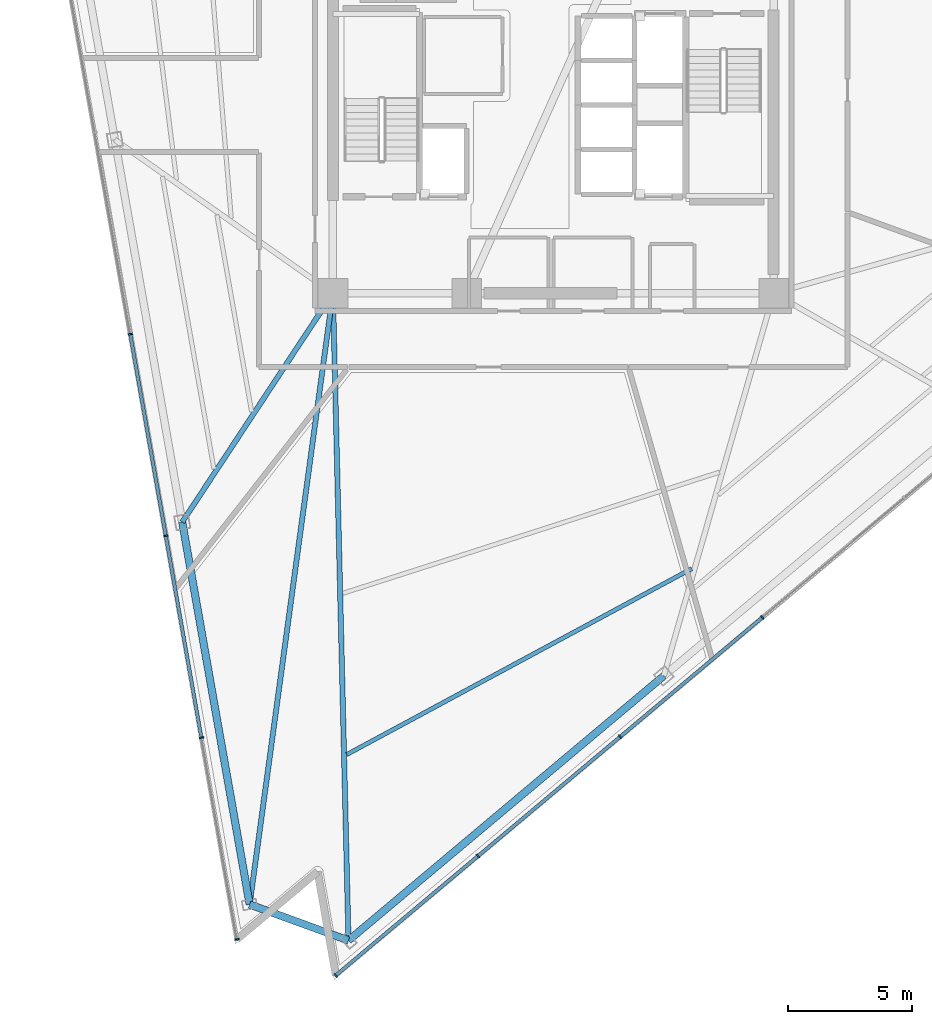
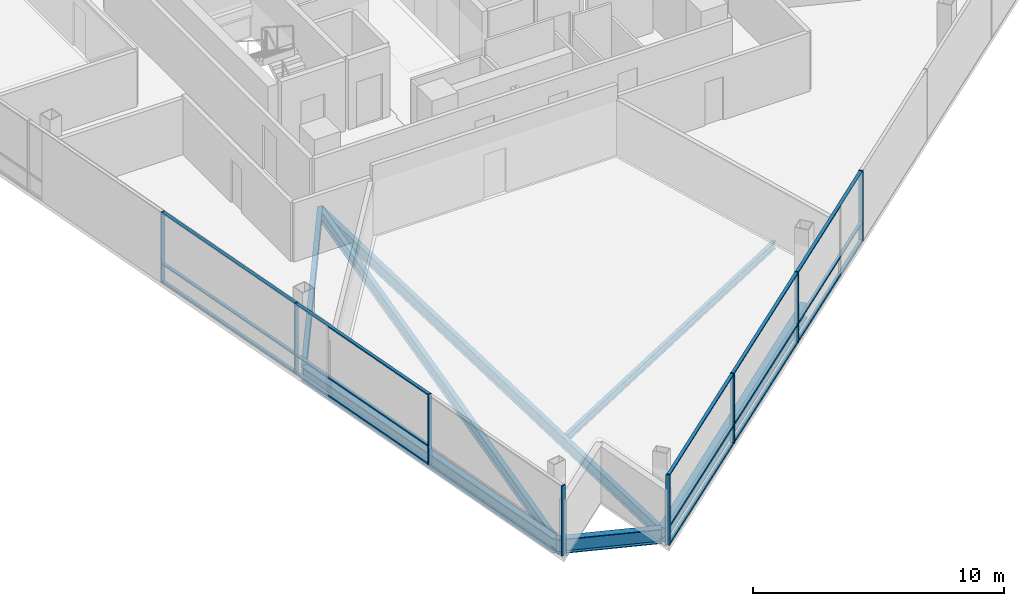
# One storey, part 2 of 16: 23 members, 7 beams, 2 elements without a shape of their own.
"""IFC4 building model written with IfcOpenShell, lengths in metres."""

from ifc_helpers import new_model, si_unit, direction, frame, origin, origin_2d, place, context, subcontext, project, spatial, rectangle, i_section, extrude, material, layer, layer_set, material_profile, profile_set, type_object, element, aggregate, save


model = new_model("IFC4")

# Units and contexts
model_context = context("Model", 3, precision=1e-05, world=origin(), true_north=direction((0.0, 1.0)))
body_context = subcontext(model_context, "Body", "Model", "MODEL_VIEW")
ifc_project = project(units=[si_unit("LENGTHUNIT", "METRE"), si_unit("AREAUNIT", "SQUARE_METRE"), si_unit("VOLUMEUNIT", "CUBIC_METRE"), si_unit("PLANEANGLEUNIT", "RADIAN"), si_unit("MASSUNIT", "GRAM", prefix="KILO")], contexts=[model_context])

# Site, building, storey
site_placement = place(None, origin())
site = spatial("IfcSite", under=ifc_project, at=site_placement, CompositionType="ELEMENT")
building_placement = place(site_placement, origin())
building = spatial("IfcBuilding", under=site, at=building_placement, Name="Tharavind Bronze Gate", CompositionType="ELEMENT")
storey_placement = place(building_placement, frame((0.0, 0.0, 188.5)))
storey = spatial("IfcBuildingStorey", under=building, at=storey_placement, Name="L48", CompositionType="ELEMENT", Elevation=188.5)

# Curtain wall, members
ifc_material_1 = material(Name="Anodised Bronze Aluminium", Category="aluminium")
ifc_layer = layer(ifc_material_1, 0.219970703125)
ifc_layer_set = layer_set([ifc_layer], Name="Anodised Bronze Aluminium")
curtain_wall_type = type_object("IfcCurtainWallType", Name="UNITISED CURTAIN WALL MID OFFICE", PredefinedType="USERDEFINED", material=ifc_layer_set)
curtain_wall_1_placement = place(storey_placement, origin())
curtain_wall_1 = element("IfcCurtainWall", 1, at=curtain_wall_1_placement, inside=storey, type_object=curtain_wall_type, Name="L48 unitised curtain wall mid office CW-L48-S1", ObjectType="UNITISED CURTAIN WALL", PredefinedType="USERDEFINED")
member_type_1 = type_object("IfcMemberType", Name="CURTAIN WALL BRONZE MULLION 65X180", PredefinedType="MULLION", material=ifc_material_1)
member_1_placement = place(storey_placement, frame((-17.086669921875, -9.250732421875, 0.0), z_axis=(0.0, 0.0, 1.0), x_axis=(0.173648177667, -0.984807753012, 0.0)))
member_1 = element("IfcMember", 2, at=member_1_placement, type_object=member_type_1, Name="CW-L48-S1 mullion 4", PredefinedType="MULLION", context=body_context, shape_type="SweptSolid", body=[
    extrude(rectangle(XDim=0.06494140625, YDim=0.179931640625, at=origin_2d()), origin(), (0.0, 0.0, 1.0), 3.419921875),
])
member_2_placement = place(storey_placement, frame((-15.650146484375, -17.3984375, 0.0), z_axis=(0.0, 0.0, 1.0), x_axis=(0.173648177667, -0.984807753012, 0.0)))
member_2 = element("IfcMember", 3, at=member_2_placement, type_object=member_type_1, Name="CW-L48-S1 mullion 5", PredefinedType="MULLION", context=body_context, shape_type="SweptSolid", body=[
    extrude(rectangle(XDim=0.06494140625, YDim=0.179931640625, at=origin_2d()), origin(), (0.0, 0.0, 1.0), 3.419921875),
])
member_3_placement = place(storey_placement, frame((-14.21337890625, -25.546142578125, 0.0), z_axis=(0.0, 0.0, 1.0), x_axis=(0.173648177667, -0.984807753012, 0.0)))
member_3 = element("IfcMember", 4, at=member_3_placement, type_object=member_type_1, Name="CW-L48-S1 mullion 6", PredefinedType="MULLION", context=body_context, shape_type="SweptSolid", body=[
    extrude(rectangle(XDim=0.06494140625, YDim=0.179931640625, at=origin_2d()), origin(), (0.0, 0.0, 1.0), 3.419921875),
])
member_4_placement = place(storey_placement, frame((-12.77685546875, -33.69384765625, 0.0), z_axis=(0.0, 0.0, 1.0), x_axis=(0.173648177667, -0.984807753012, 0.0)))
member_4 = element("IfcMember", 5, at=member_4_placement, type_object=member_type_1, Name="CW-L48-S1 mullion 7", PredefinedType="MULLION", context=body_context, shape_type="SweptSolid", body=[
    extrude(rectangle(XDim=0.06494140625, YDim=0.179931640625, at=origin_2d()), origin(), (0.0, 0.0, 1.0), 3.419921875),
])

curtain_wall_2_placement = place(storey_placement, origin())
curtain_wall_2 = element("IfcCurtainWall", 6, at=curtain_wall_2_placement, inside=storey, type_object=curtain_wall_type, Name="L48 unitised curtain wall mid office CW-L48-S2", ObjectType="UNITISED CURTAIN WALL", PredefinedType="USERDEFINED")
member_5_placement = place(storey_placement, frame((-8.784912109375, -35.146728515625, 0.0), z_axis=(0.0, 0.0, 1.0), x_axis=(0.766043321242, 0.642788946685, 0.0)))
member_5 = element("IfcMember", 7, at=member_5_placement, type_object=member_type_1, Name="CW-L48-S2 mullion 1", PredefinedType="MULLION", context=body_context, shape_type="SweptSolid", body=[
    extrude(rectangle(XDim=0.06494140625, YDim=0.179931640625, at=origin_2d()), origin(), (0.0, 0.0, 1.0), 3.419921875),
])
member_6_placement = place(storey_placement, frame((-3.042724609375, -30.328369140625, 0.0), z_axis=(0.0, 0.0, 1.0), x_axis=(0.766043321242, 0.642788946685, 0.0)))
member_6 = element("IfcMember", 8, at=member_6_placement, type_object=member_type_1, Name="CW-L48-S2 mullion 2", PredefinedType="MULLION", context=body_context, shape_type="SweptSolid", body=[
    extrude(rectangle(XDim=0.06494140625, YDim=0.179931640625, at=origin_2d()), origin(), (0.0, 0.0, 1.0), 3.419921875),
])
member_7_placement = place(storey_placement, frame((2.69970703125, -25.510009765625, 0.0), z_axis=(0.0, 0.0, 1.0), x_axis=(0.766043321242, 0.642788946685, 0.0)))
member_7 = element("IfcMember", 9, at=member_7_placement, type_object=member_type_1, Name="CW-L48-S2 mullion 3", PredefinedType="MULLION", context=body_context, shape_type="SweptSolid", body=[
    extrude(rectangle(XDim=0.06494140625, YDim=0.179931640625, at=origin_2d()), origin(), (0.0, 0.0, 1.0), 3.419921875),
])
member_8_placement = place(storey_placement, frame((8.44189453125, -20.691650390625, 0.0), z_axis=(0.0, 0.0, 1.0), x_axis=(0.766043321242, 0.642788946685, 0.0)))
member_8 = element("IfcMember", 10, at=member_8_placement, type_object=member_type_1, Name="CW-L48-S2 mullion 4", PredefinedType="MULLION", context=body_context, shape_type="SweptSolid", body=[
    extrude(rectangle(XDim=0.06494140625, YDim=0.179931640625, at=origin_2d()), origin(), (0.0, 0.0, 1.0), 3.419921875),
])

# Member
member_type_2 = type_object("IfcMemberType", Name="CURTAIN WALL BRONZE TRANSOM 65X140", PredefinedType="USERDEFINED", material=ifc_material_1)
member_9_placement = place(storey_placement, frame((-16.368408203125, -13.32470703125, 0.0), z_axis=(0.0, 0.0, 1.0), x_axis=(0.173648177667, -0.984807753012, 0.0)))
member_9 = element("IfcMember", 11, at=member_9_placement, type_object=member_type_2, Name="CW-L48-S1 transom TB4", ObjectType="TRANSOM", PredefinedType="USERDEFINED", context=body_context, shape_type="SweptSolid", body=[
    extrude(rectangle(XDim=8.220458984375, YDim=0.139892578125, at=origin_2d()), origin(), (0.0, 0.0, 1.0), 0.06494140625),
])

member_10_placement = place(storey_placement, frame((-16.368408203125, -13.32470703125, 0.867431640625), z_axis=(0.0, 0.0, 1.0), x_axis=(0.173648177667, -0.984807753012, 0.0)))
member_10 = element("IfcMember", 12, at=member_10_placement, type_object=member_type_2, Name="CW-L48-S1 transom TS4", ObjectType="TRANSOM", PredefinedType="USERDEFINED", context=body_context, shape_type="SweptSolid", body=[
    extrude(rectangle(XDim=8.220458984375, YDim=0.139892578125, at=origin_2d()), origin(), (0.0, 0.0, 1.0), 0.06494140625),
])

member_11_placement = place(storey_placement, frame((-16.368408203125, -13.32470703125, 3.35498046875), z_axis=(0.0, 0.0, 1.0), x_axis=(0.173648177667, -0.984807753012, 0.0)))
member_11 = element("IfcMember", 13, at=member_11_placement, type_object=member_type_2, Name="CW-L48-S1 transom TT4", ObjectType="TRANSOM", PredefinedType="USERDEFINED", context=body_context, shape_type="SweptSolid", body=[
    extrude(rectangle(XDim=8.220458984375, YDim=0.139892578125, at=origin_2d()), origin(), (0.0, 0.0, 1.0), 0.06494140625),
])

member_12_placement = place(storey_placement, frame((-14.931884765625, -21.472412109375, 0.0), z_axis=(0.0, 0.0, 1.0), x_axis=(0.173648177667, -0.984807753012, 0.0)))
member_12 = element("IfcMember", 14, at=member_12_placement, type_object=member_type_2, Name="CW-L48-S1 transom TB5", ObjectType="TRANSOM", PredefinedType="USERDEFINED", context=body_context, shape_type="SweptSolid", body=[
    extrude(rectangle(XDim=8.220458984375, YDim=0.139892578125, at=origin_2d()), origin(), (0.0, 0.0, 1.0), 0.06494140625),
])

member_13_placement = place(storey_placement, frame((-14.931884765625, -21.472412109375, 0.867431640625), z_axis=(0.0, 0.0, 1.0), x_axis=(0.173648177667, -0.984807753012, 0.0)))
member_13 = element("IfcMember", 15, at=member_13_placement, type_object=member_type_2, Name="CW-L48-S1 transom TS5", ObjectType="TRANSOM", PredefinedType="USERDEFINED", context=body_context, shape_type="SweptSolid", body=[
    extrude(rectangle(XDim=8.220458984375, YDim=0.139892578125, at=origin_2d()), origin(), (0.0, 0.0, 1.0), 0.06494140625),
])

member_14_placement = place(storey_placement, frame((-14.931884765625, -21.472412109375, 3.35498046875), z_axis=(0.0, 0.0, 1.0), x_axis=(0.173648177667, -0.984807753012, 0.0)))
member_14 = element("IfcMember", 16, at=member_14_placement, type_object=member_type_2, Name="CW-L48-S1 transom TT5", ObjectType="TRANSOM", PredefinedType="USERDEFINED", context=body_context, shape_type="SweptSolid", body=[
    extrude(rectangle(XDim=8.220458984375, YDim=0.139892578125, at=origin_2d()), origin(), (0.0, 0.0, 1.0), 0.06494140625),
])

aggregate(curtain_wall_1, [member_1, member_2, member_3, member_4, member_9, member_10, member_11, member_12, member_13, member_14])

member_15_placement = place(storey_placement, frame((-5.913818359375, -32.737548828125, 0.0), z_axis=(0.0, 0.0, 1.0), x_axis=(0.766043321242, 0.642788946685, 0.0)))
member_15 = element("IfcMember", 17, at=member_15_placement, type_object=member_type_2, Name="CW-L48-S2 transom TB1", ObjectType="TRANSOM", PredefinedType="USERDEFINED", context=body_context, shape_type="SweptSolid", body=[
    extrude(rectangle(XDim=7.443115234375, YDim=0.139892578125, at=origin_2d()), origin(), (0.0, 0.0, 1.0), 0.06494140625),
])

member_16_placement = place(storey_placement, frame((-5.913818359375, -32.737548828125, 0.867431640625), z_axis=(0.0, 0.0, 1.0), x_axis=(0.766043321242, 0.642788946685, 0.0)))
member_16 = element("IfcMember", 18, at=member_16_placement, type_object=member_type_2, Name="CW-L48-S2 transom TS1", ObjectType="TRANSOM", PredefinedType="USERDEFINED", context=body_context, shape_type="SweptSolid", body=[
    extrude(rectangle(XDim=7.443115234375, YDim=0.139892578125, at=origin_2d()), origin(), (0.0, 0.0, 1.0), 0.06494140625),
])

member_17_placement = place(storey_placement, frame((-5.913818359375, -32.737548828125, 3.35498046875), z_axis=(0.0, 0.0, 1.0), x_axis=(0.766043321242, 0.642788946685, 0.0)))
member_17 = element("IfcMember", 19, at=member_17_placement, type_object=member_type_2, Name="CW-L48-S2 transom TT1", ObjectType="TRANSOM", PredefinedType="USERDEFINED", context=body_context, shape_type="SweptSolid", body=[
    extrude(rectangle(XDim=7.443115234375, YDim=0.139892578125, at=origin_2d()), origin(), (0.0, 0.0, 1.0), 0.06494140625),
])

member_18_placement = place(storey_placement, frame((-0.171630859375, -27.919189453125, 0.0), z_axis=(0.0, 0.0, 1.0), x_axis=(0.766043321242, 0.642788946685, 0.0)))
member_18 = element("IfcMember", 20, at=member_18_placement, type_object=member_type_2, Name="CW-L48-S2 transom TB2", ObjectType="TRANSOM", PredefinedType="USERDEFINED", context=body_context, shape_type="SweptSolid", body=[
    extrude(rectangle(XDim=7.443115234375, YDim=0.139892578125, at=origin_2d()), origin(), (0.0, 0.0, 1.0), 0.06494140625),
])

member_19_placement = place(storey_placement, frame((-0.171630859375, -27.919189453125, 0.867431640625), z_axis=(0.0, 0.0, 1.0), x_axis=(0.766043321242, 0.642788946685, 0.0)))
member_19 = element("IfcMember", 21, at=member_19_placement, type_object=member_type_2, Name="CW-L48-S2 transom TS2", ObjectType="TRANSOM", PredefinedType="USERDEFINED", context=body_context, shape_type="SweptSolid", body=[
    extrude(rectangle(XDim=7.443115234375, YDim=0.139892578125, at=origin_2d()), origin(), (0.0, 0.0, 1.0), 0.06494140625),
])

member_20_placement = place(storey_placement, frame((-0.171630859375, -27.919189453125, 3.35498046875), z_axis=(0.0, 0.0, 1.0), x_axis=(0.766043321242, 0.642788946685, 0.0)))
member_20 = element("IfcMember", 22, at=member_20_placement, type_object=member_type_2, Name="CW-L48-S2 transom TT2", ObjectType="TRANSOM", PredefinedType="USERDEFINED", context=body_context, shape_type="SweptSolid", body=[
    extrude(rectangle(XDim=7.443115234375, YDim=0.139892578125, at=origin_2d()), origin(), (0.0, 0.0, 1.0), 0.06494140625),
])

member_21_placement = place(storey_placement, frame((5.57080078125, -23.100830078125, 0.0), z_axis=(0.0, 0.0, 1.0), x_axis=(0.766043321242, 0.642788946685, 0.0)))
member_21 = element("IfcMember", 23, at=member_21_placement, type_object=member_type_2, Name="CW-L48-S2 transom TB3", ObjectType="TRANSOM", PredefinedType="USERDEFINED", context=body_context, shape_type="SweptSolid", body=[
    extrude(rectangle(XDim=7.443115234375, YDim=0.139892578125, at=origin_2d()), origin(), (0.0, 0.0, 1.0), 0.06494140625),
])

member_22_placement = place(storey_placement, frame((5.57080078125, -23.100830078125, 0.867431640625), z_axis=(0.0, 0.0, 1.0), x_axis=(0.766043321242, 0.642788946685, 0.0)))
member_22 = element("IfcMember", 24, at=member_22_placement, type_object=member_type_2, Name="CW-L48-S2 transom TS3", ObjectType="TRANSOM", PredefinedType="USERDEFINED", context=body_context, shape_type="SweptSolid", body=[
    extrude(rectangle(XDim=7.443115234375, YDim=0.139892578125, at=origin_2d()), origin(), (0.0, 0.0, 1.0), 0.06494140625),
])

member_23_placement = place(storey_placement, frame((5.57080078125, -23.100830078125, 3.35498046875), z_axis=(0.0, 0.0, 1.0), x_axis=(0.766043321242, 0.642788946685, 0.0)))
member_23 = element("IfcMember", 25, at=member_23_placement, type_object=member_type_2, Name="CW-L48-S2 transom TT3", ObjectType="TRANSOM", PredefinedType="USERDEFINED", context=body_context, shape_type="SweptSolid", body=[
    extrude(rectangle(XDim=7.443115234375, YDim=0.139892578125, at=origin_2d()), origin(), (0.0, 0.0, 1.0), 0.06494140625),
])

aggregate(curtain_wall_2, [member_5, member_6, member_7, member_8, member_15, member_16, member_17, member_18, member_19, member_20, member_21, member_22, member_23])

# Beams
ifc_material_2 = material(Name="Steel S355", Category="steel")
ifc_material_profile_1 = material_profile(ifc_material_2, i_section(OverallWidth=0.2099609375, OverallDepth=0.550048828125, WebThickness=0.010986328125, FlangeThickness=0.01708984375, at=origin_2d()), Name="IPE550")
ifc_profile_set_1 = profile_set([ifc_material_profile_1], Name="Steel S355")
beam_type_1 = type_object("IfcBeamType", Name="PRIMARY GIRDER IPE550", PredefinedType="USERDEFINED", material=ifc_profile_set_1)
beam_1_placement = place(storey_placement, frame((-14.98681640625, -16.841796875, -0.455078125), z_axis=(0.550048368659, 0.835132799102, 0.0), x_axis=(-0.835132799102, 0.550048368659, 0.0)))
element("IfcBeam", 26, at=beam_1_placement, inside=storey, type_object=beam_type_1, Name="L48 primary girder ipe550 BM-L48-RAD03", ObjectType="GIRDER", PredefinedType="USERDEFINED", context=body_context, shape_type="SweptSolid", body=[
    extrude(i_section(OverallWidth=0.2099609375, OverallDepth=0.550048828125, WebThickness=0.010986328125, FlangeThickness=0.01708984375, at=origin_2d()), origin(), (0.0, 0.0, 1.0), 11.066162109375),
])
beam_2_placement = place(storey_placement, frame((-12.263916015625, -32.2841796875, -0.455078125), z_axis=(0.135034486087, 0.99084089922, 0.0), x_axis=(-0.99084089922, 0.135034486087, 0.0)))
element("IfcBeam", 27, at=beam_2_placement, inside=storey, type_object=beam_type_1, Name="L48 primary girder ipe550 BM-L48-RAD04", ObjectType="GIRDER", PredefinedType="USERDEFINED", context=body_context, shape_type="SweptSolid", body=[
    extrude(i_section(OverallWidth=0.2099609375, OverallDepth=0.550048828125, WebThickness=0.010986328125, FlangeThickness=0.01708984375, at=origin_2d()), origin(), (0.0, 0.0, 1.0), 24.912353515625),
])
beam_3_placement = place(storey_placement, frame((-8.27197265625, -33.737060546875, -0.455078125), z_axis=(-0.024017654771, 0.999711534523, 0.0), x_axis=(-0.999711534523, -0.024017654771, 0.0)))
element("IfcBeam", 28, at=beam_3_placement, inside=storey, type_object=beam_type_1, Name="L48 primary girder ipe550 BM-L48-RAD05", ObjectType="GIRDER", PredefinedType="USERDEFINED", context=body_context, shape_type="SweptSolid", body=[
    extrude(i_section(OverallWidth=0.2099609375, OverallDepth=0.550048828125, WebThickness=0.010986328125, FlangeThickness=0.01708984375, at=origin_2d()), origin(), (0.0, 0.0, 1.0), 26.14453125),
])
ifc_material_profile_2 = material_profile(ifc_material_2, i_section(OverallWidth=0.300048828125, OverallDepth=0.699951171875, WebThickness=0.01708984375, FlangeThickness=0.031982421875, at=origin_2d()), Name="HE700B")
ifc_profile_set_2 = profile_set([ifc_material_profile_2], Name="Steel S355")
beam_type_2 = type_object("IfcBeamType", Name="RING GIRDER HE700B", PredefinedType="USERDEFINED", material=ifc_profile_set_2)
beam_4_placement = place(storey_placement, frame((-14.98681640625, -16.841796875, -0.530029296875), z_axis=(0.173647661488, -0.984807844028, 0.0), x_axis=(0.984807844028, 0.173647661488, 0.0)))
element("IfcBeam", 29, at=beam_4_placement, inside=storey, type_object=beam_type_2, Name="L48 ring girder he700b BM-L48-PRG03", ObjectType="GIRDER", PredefinedType="USERDEFINED", context=body_context, shape_type="SweptSolid", body=[
    extrude(i_section(OverallWidth=0.300048828125, OverallDepth=0.699951171875, WebThickness=0.01708984375, FlangeThickness=0.031982421875, at=origin_2d()), origin(), (0.0, 0.0, 1.0), 15.6806640625),
])
beam_5_placement = place(storey_placement, frame((-12.263916015625, -32.2841796875, -0.530029296875), z_axis=(0.939697742591, -0.342006070953, 0.0), x_axis=(0.342006070953, 0.939697742591, 0.0)))
element("IfcBeam", 30, at=beam_5_placement, inside=storey, type_object=beam_type_2, Name="L48 ring girder he700b BM-L48-PRG04", ObjectType="GIRDER", PredefinedType="USERDEFINED", context=body_context, shape_type="SweptSolid", body=[
    extrude(i_section(OverallWidth=0.300048828125, OverallDepth=0.699951171875, WebThickness=0.01708984375, FlangeThickness=0.031982421875, at=origin_2d()), origin(), (0.0, 0.0, 1.0), 4.248046875),
])
beam_6_placement = place(storey_placement, frame((-8.27197265625, -33.737060546875, -0.530029296875), z_axis=(0.766042947444, 0.642789392159, 0.0), x_axis=(-0.642789392159, 0.766042947444, 0.0)))
element("IfcBeam", 31, at=beam_6_placement, inside=storey, type_object=beam_type_2, Name="L48 ring girder he700b BM-L48-PRG05", ObjectType="GIRDER", PredefinedType="USERDEFINED", context=body_context, shape_type="SweptSolid", body=[
    extrude(i_section(OverallWidth=0.300048828125, OverallDepth=0.699951171875, WebThickness=0.01708984375, FlangeThickness=0.031982421875, at=origin_2d()), origin(), (0.0, 0.0, 1.0), 16.624755859375),
])
ifc_material_profile_3 = material_profile(ifc_material_2, i_section(OverallWidth=0.169921875, OverallDepth=0.360107421875, WebThickness=0.008056640625, FlangeThickness=0.0126953125, at=origin_2d()), Name="IPE360")
ifc_profile_set_3 = profile_set([ifc_material_profile_3], Name="Steel S355")
beam_type_3 = type_object("IfcBeamType", Name="SECONDARY FLOOR JOIST IPE360", PredefinedType="JOIST", material=ifc_profile_set_3)
beam_7_placement = place(storey_placement, frame((-8.34375, -26.230224609375, -0.360107421875), z_axis=(0.880319056921, 0.474382080207, 0.0), x_axis=(-0.474382080207, 0.880319056921, 0.0)))
element("IfcBeam", 32, at=beam_7_placement, inside=storey, type_object=beam_type_3, Name="L48 secondary floor joist ipe360 BM-L48-JSTB05", PredefinedType="JOIST", context=body_context, shape_type="SweptSolid", body=[
    extrude(i_section(OverallWidth=0.169921875, OverallDepth=0.360107421875, WebThickness=0.008056640625, FlangeThickness=0.0126953125, at=origin_2d()), origin(), (0.0, 0.0, 1.0), 15.833740234375),
])

save(model, "model.ifc")
